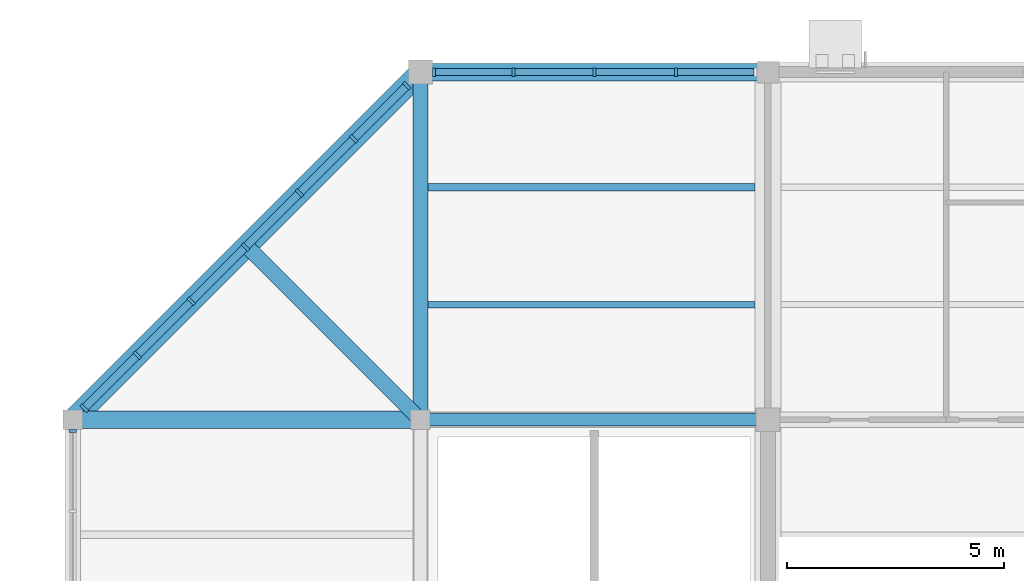
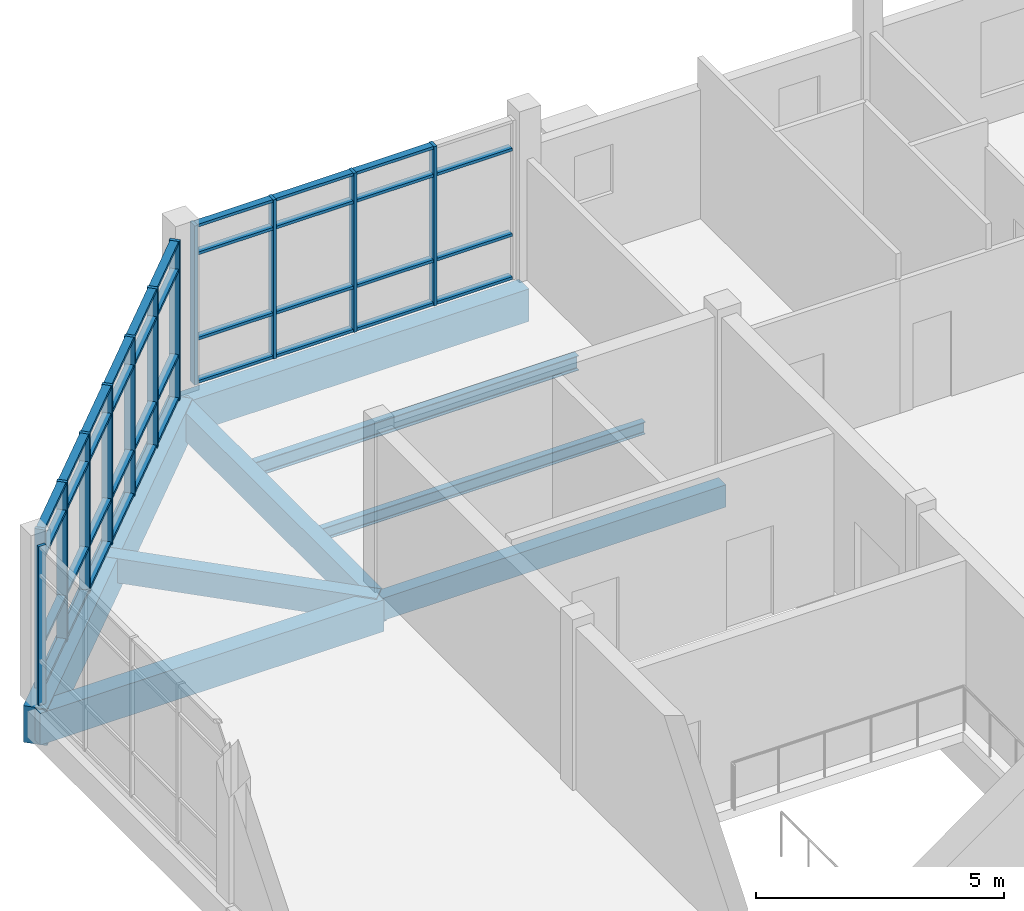
# One storey, part 16 of 44: 51 members, 8 beams, 3 elements without a shape of their own.
"""IFC4 building model written with IfcOpenShell, lengths in metres."""

from ifc_helpers import new_model, si_unit, direction, frame, origin, origin_2d, place, context, subcontext, project, spatial, rectangle, i_section, extrude, material, material_profile, profile_set, type_object, element, aggregate, save


model = new_model("IFC4")

# Units and contexts
model_context = context("Model", 3, precision=1e-05, world=origin(), true_north=direction((0.0, 1.0)))
body_context = subcontext(model_context, "Body", "Model", "MODEL_VIEW")
ifc_project = project(units=[si_unit("LENGTHUNIT", "METRE"), si_unit("AREAUNIT", "SQUARE_METRE"), si_unit("VOLUMEUNIT", "CUBIC_METRE"), si_unit("PLANEANGLEUNIT", "RADIAN"), si_unit("MASSUNIT", "GRAM", prefix="KILO")], contexts=[model_context])

# Site, building, storey
site_placement = place(None, origin())
site = spatial("IfcSite", under=ifc_project, at=site_placement, CompositionType="ELEMENT")
building_placement = place(site_placement, origin())
building = spatial("IfcBuilding", under=site, at=building_placement, Name="Tenunan Teduh Sports Hall", CompositionType="ELEMENT")
storey_placement = place(building_placement, frame((0.0, 0.0, 19.199951171875)))
storey = spatial("IfcBuildingStorey", under=building, at=storey_placement, Name="L04", CompositionType="ELEMENT", Elevation=19.199951171875)

# Beams
ifc_material_1 = material(Name="Concrete C40/50", Category="concrete")
ifc_material_profile_1 = material_profile(ifc_material_1, rectangle(XDim=0.300048828125, YDim=0.550048828125, at=origin_2d()), Name="RCB 300x550")
ifc_profile_set_1 = profile_set([ifc_material_profile_1], Name="Concrete C40/50")
beam_type_1 = type_object("IfcBeamType", Name="BM-RC-300x550", PredefinedType="BEAM", material=ifc_profile_set_1)
beam_1_placement = place(storey_placement, frame((14.0, 110.0, -0.544921875), z_axis=(1.0, 0.0, 0.0), x_axis=(0.0, 1.0, 0.0)))
element("IfcBeam", 1, at=beam_1_placement, inside=storey, type_object=beam_type_1, Name="BM-B-02-L04-2051", PredefinedType="BEAM", context=body_context, shape_type="SweptSolid", body=[
    extrude(rectangle(XDim=0.300048828125, YDim=0.550048828125, at=origin_2d()), origin(), (0.0, 0.0, 1.0), 8.0),
])
ifc_material_2 = material(Name="Concrete C40/50", Category="concrete")
ifc_material_profile_2 = material_profile(ifc_material_2, rectangle(XDim=0.35009765625, YDim=0.60009765625, at=origin_2d()), Name="RCB 350x600")
ifc_profile_set_2 = profile_set([ifc_material_profile_2], Name="Concrete C40/50")
beam_type_2 = type_object("IfcBeamType", Name="BM-RC-350x600", PredefinedType="BEAM", material=ifc_profile_set_2)
beam_2_placement = place(storey_placement, frame((14.0, 110.0, -0.5400390625), z_axis=(-0.707106781187, 0.707106781187, 0.0), x_axis=(-0.707106781187, -0.707106781187, 0.0)))
element("IfcBeam", 2, at=beam_2_placement, inside=storey, type_object=beam_type_2, Name="BM-B-04-L04-2226", PredefinedType="BEAM", context=body_context, shape_type="SweptSolid", body=[
    extrude(rectangle(XDim=0.35009765625, YDim=0.60009765625, at=origin_2d()), origin(), (0.0, 0.0, 1.0), 5.65673828125),
])
ifc_material_3 = material(Name="Concrete C40/50", Category="concrete")
ifc_material_profile_3 = material_profile(ifc_material_3, rectangle(XDim=0.35009765625, YDim=0.699951171875, at=origin_2d()), Name="RCB 350x700")
ifc_profile_set_3 = profile_set([ifc_material_profile_3], Name="Concrete C40/50")
beam_type_3 = type_object("IfcBeamType", Name="BM-RC-350x700", PredefinedType="BEAM", material=ifc_profile_set_3)
beam_3_placement = place(storey_placement, frame((14.0, 110.0, -0.619873046875), z_axis=(0.0, 1.0, 0.0), x_axis=(-1.0, 0.0, 0.0)))
element("IfcBeam", 3, at=beam_3_placement, inside=storey, type_object=beam_type_3, Name="BM-B-06-L04-2076", PredefinedType="BEAM", context=body_context, shape_type="SweptSolid", body=[
    extrude(rectangle(XDim=0.35009765625, YDim=0.699951171875, at=origin_2d()), origin(), (0.0, 0.0, 1.0), 8.0),
])
ifc_material_4 = material(Name="Concrete C40/50", Category="concrete")
ifc_material_profile_4 = material_profile(ifc_material_4, rectangle(XDim=0.39990234375, YDim=0.800048828125, at=origin_2d()), Name="RCB 400x800")
ifc_profile_set_4 = profile_set([ifc_material_profile_4], Name="Concrete C40/50")
beam_type_4 = type_object("IfcBeamType", Name="BM-RC-400x800", PredefinedType="BEAM", material=ifc_profile_set_4)
beam_4_placement = place(storey_placement, frame((14.0, 118.0, -0.669921875), z_axis=(1.0, 0.0, 0.0), x_axis=(0.0, 1.0, 0.0)))
element("IfcBeam", 4, at=beam_4_placement, inside=storey, type_object=beam_type_4, Name="BM-B-10-L04-2058", PredefinedType="BEAM", context=body_context, shape_type="SweptSolid", body=[
    extrude(rectangle(XDim=0.39990234375, YDim=0.800048828125, at=origin_2d()), origin(), (0.0, 0.0, 1.0), 8.0),
])
ifc_material_5 = material(Name="Concrete C40/50", Category="concrete")
ifc_material_profile_5 = material_profile(ifc_material_5, rectangle(XDim=0.5, YDim=0.89990234375, at=origin_2d()), Name="RCB 500x900")
ifc_profile_set_5 = profile_set([ifc_material_profile_5], Name="Concrete C40/50")
beam_type_5 = type_object("IfcBeamType", Name="BM-RC-500x900", PredefinedType="BEAM", material=ifc_profile_set_5)
beam_5_placement = place(storey_placement, frame((6.0, 110.0, -0.68994140625), z_axis=(0.707106781187, 0.707106781187, 0.0), x_axis=(-0.707106781187, 0.707106781187, 0.0)))
element("IfcBeam", 5, at=beam_5_placement, inside=storey, type_object=beam_type_5, Name="BM-B-15-L04-0591", PredefinedType="BEAM", context=body_context, shape_type="SweptSolid", body=[
    extrude(rectangle(XDim=0.5, YDim=0.89990234375, at=origin_2d()), origin(), (0.0, 0.0, 1.0), 11.313720703125),
])
ifc_material_6 = material(Name="Concrete C40/50", Category="concrete")
ifc_material_profile_6 = material_profile(ifc_material_6, rectangle(XDim=0.39990234375, YDim=0.780029296875, at=origin_2d()), Name="TB 400x780")
ifc_profile_set_6 = profile_set([ifc_material_profile_6], Name="Concrete C40/50")
beam_type_6 = type_object("IfcBeamType", Name="BM-TB-400x780", PredefinedType="T_BEAM", material=ifc_profile_set_6)
beam_6_placement = place(storey_placement, frame((6.0, 110.0, -0.659912109375), z_axis=(1.0, 0.0, 0.0), x_axis=(0.0, 1.0, 0.0)))
element("IfcBeam", 6, at=beam_6_placement, inside=storey, type_object=beam_type_6, Name="BM-TB-02-L04-2050", PredefinedType="T_BEAM", context=body_context, shape_type="SweptSolid", body=[
    extrude(rectangle(XDim=0.39990234375, YDim=0.780029296875, at=origin_2d()), origin(), (0.0, 0.0, 1.0), 8.0),
])

# Curtain wall, member
ifc_material_7 = material(Name="Anodised aluminium", Category="aluminium")
curtain_wall_type = type_object("IfcCurtainWallType", Name="CW-UNIT-2", PredefinedType="NOTDEFINED", material=ifc_material_7)
curtain_wall_1_placement = place(storey_placement, origin())
curtain_wall_1 = element("IfcCurtainWall", 7, at=curtain_wall_1_placement, inside=storey, type_object=curtain_wall_type, Name="CW-CWM-175-L04-234", PredefinedType="NOTDEFINED")
ifc_material_8 = material(Name="Anodised aluminium", Category="aluminium")
ifc_material_profile_7 = material_profile(ifc_material_8, rectangle(XDim=0.06494140625, YDim=0.175048828125, at=origin_2d()), Name="CWM 65x175")
ifc_profile_set_7 = profile_set([ifc_material_profile_7], Name="Anodised aluminium")
member_type_1 = type_object("IfcMemberType", Name="CWM-175", PredefinedType="MULLION", material=ifc_profile_set_7)
member_1_placement = place(storey_placement, frame((6.0, 109.742431640625, 0.0), z_axis=(0.0, 0.0, 1.0), x_axis=(0.0, 1.0, 0.0)))
member_1 = element("IfcMember", 8, at=member_1_placement, type_object=member_type_1, Name="CW-02 mullion 5", PredefinedType="MULLION", context=body_context, shape_type="SweptSolid", body=[
    extrude(rectangle(XDim=0.06494140625, YDim=0.175048828125, at=origin_2d()), origin(), (0.0, 0.0, 1.0), 3.920166015625),
])
aggregate(curtain_wall_1, [member_1])

# Curtain wall, members
curtain_wall_2_placement = place(storey_placement, origin())
curtain_wall_2 = element("IfcCurtainWall", 9, at=curtain_wall_2_placement, inside=storey, type_object=curtain_wall_type, Name="CW-CWM-200-L04-232", PredefinedType="NOTDEFINED")
ifc_material_9 = material(Name="Anodised aluminium", Category="aluminium")
ifc_material_profile_8 = material_profile(ifc_material_9, rectangle(XDim=0.070068359375, YDim=0.199951171875, at=origin_2d()), Name="CWM 70x200")
ifc_profile_set_8 = profile_set([ifc_material_profile_8], Name="Anodised aluminium")
member_type_2 = type_object("IfcMemberType", Name="CWM-200", PredefinedType="MULLION", material=ifc_profile_set_8)
member_2_placement = place(storey_placement, frame((14.31005859375, 118.0, 0.0), z_axis=(0.0, 0.0, 1.0), x_axis=(1.0, 0.0, 0.0)))
member_2 = element("IfcMember", 10, at=member_2_placement, type_object=member_type_2, Name="CW-02 mullion 1", PredefinedType="MULLION", context=body_context, shape_type="SweptSolid", body=[
    extrude(rectangle(XDim=0.070068359375, YDim=0.199951171875, at=origin_2d()), origin(), (0.0, 0.0, 1.0), 3.920166015625),
])
member_3_placement = place(storey_placement, frame((16.143798828125, 118.0, 0.0), z_axis=(0.0, 0.0, 1.0), x_axis=(1.0, 0.0, 0.0)))
member_3 = element("IfcMember", 11, at=member_3_placement, type_object=member_type_2, Name="CW-02 mullion 2", PredefinedType="MULLION", context=body_context, shape_type="SweptSolid", body=[
    extrude(rectangle(XDim=0.070068359375, YDim=0.199951171875, at=origin_2d()), origin(), (0.0, 0.0, 1.0), 3.920166015625),
])
member_4_placement = place(storey_placement, frame((18.012451171875, 118.0, 0.0), z_axis=(0.0, 0.0, 1.0), x_axis=(1.0, 0.0, 0.0)))
member_4 = element("IfcMember", 12, at=member_4_placement, type_object=member_type_2, Name="CW-02 mullion 3", PredefinedType="MULLION", context=body_context, shape_type="SweptSolid", body=[
    extrude(rectangle(XDim=0.070068359375, YDim=0.199951171875, at=origin_2d()), origin(), (0.0, 0.0, 1.0), 3.920166015625),
])
member_5_placement = place(storey_placement, frame((19.88134765625, 118.0, 0.0), z_axis=(0.0, 0.0, 1.0), x_axis=(1.0, 0.0, 0.0)))
member_5 = element("IfcMember", 13, at=member_5_placement, type_object=member_type_2, Name="CW-02 mullion 4", PredefinedType="MULLION", context=body_context, shape_type="SweptSolid", body=[
    extrude(rectangle(XDim=0.070068359375, YDim=0.199951171875, at=origin_2d()), origin(), (0.0, 0.0, 1.0), 3.920166015625),
])

curtain_wall_3_placement = place(storey_placement, origin())
curtain_wall_3 = element("IfcCurtainWall", 14, at=curtain_wall_3_placement, inside=storey, type_object=curtain_wall_type, Name="CW-CWM-220-L04-233", PredefinedType="NOTDEFINED")
ifc_material_10 = material(Name="Anodised aluminium", Category="aluminium")
ifc_material_profile_9 = material_profile(ifc_material_10, rectangle(XDim=0.074951171875, YDim=0.219970703125, at=origin_2d()), Name="CWM 75x220")
ifc_profile_set_9 = profile_set([ifc_material_profile_9], Name="Anodised aluminium")
member_type_3 = type_object("IfcMemberType", Name="CWM-220", PredefinedType="MULLION", material=ifc_profile_set_9)
member_6_placement = place(storey_placement, frame((6.2626953125, 110.2626953125, 0.0), z_axis=(0.0, 0.0, 1.0), x_axis=(0.707096908044, 0.707116654191, 0.0)))
member_6 = element("IfcMember", 15, at=member_6_placement, type_object=member_type_3, Name="CW-02 mullion 1", PredefinedType="MULLION", context=body_context, shape_type="SweptSolid", body=[
    extrude(rectangle(XDim=0.074951171875, YDim=0.219970703125, at=origin_2d()), origin(), (0.0, 0.0, 1.0), 3.920166015625),
])
member_7_placement = place(storey_placement, frame((7.482177734375, 111.48193359375, 0.0), z_axis=(0.0, 0.0, 1.0), x_axis=(0.707096908044, 0.707116654191, 0.0)))
member_7 = element("IfcMember", 16, at=member_7_placement, type_object=member_type_3, Name="CW-02 mullion 2", PredefinedType="MULLION", context=body_context, shape_type="SweptSolid", body=[
    extrude(rectangle(XDim=0.074951171875, YDim=0.219970703125, at=origin_2d()), origin(), (0.0, 0.0, 1.0), 3.920166015625),
])
member_8_placement = place(storey_placement, frame((8.72802734375, 112.727783203125, 0.0), z_axis=(0.0, 0.0, 1.0), x_axis=(0.707096908044, 0.707116654191, 0.0)))
member_8 = element("IfcMember", 17, at=member_8_placement, type_object=member_type_3, Name="CW-02 mullion 3", PredefinedType="MULLION", context=body_context, shape_type="SweptSolid", body=[
    extrude(rectangle(XDim=0.074951171875, YDim=0.219970703125, at=origin_2d()), origin(), (0.0, 0.0, 1.0), 3.920166015625),
])
member_9_placement = place(storey_placement, frame((9.9736328125, 113.9736328125, 0.0), z_axis=(0.0, 0.0, 1.0), x_axis=(0.707096908044, 0.707116654191, 0.0)))
member_9 = element("IfcMember", 18, at=member_9_placement, type_object=member_type_3, Name="CW-02 mullion 4", PredefinedType="MULLION", context=body_context, shape_type="SweptSolid", body=[
    extrude(rectangle(XDim=0.074951171875, YDim=0.219970703125, at=origin_2d()), origin(), (0.0, 0.0, 1.0), 3.920166015625),
])
member_10_placement = place(storey_placement, frame((11.219482421875, 115.219482421875, 0.0), z_axis=(0.0, 0.0, 1.0), x_axis=(0.707096908044, 0.707116654191, 0.0)))
member_10 = element("IfcMember", 19, at=member_10_placement, type_object=member_type_3, Name="CW-02 mullion 5", PredefinedType="MULLION", context=body_context, shape_type="SweptSolid", body=[
    extrude(rectangle(XDim=0.074951171875, YDim=0.219970703125, at=origin_2d()), origin(), (0.0, 0.0, 1.0), 3.920166015625),
])
member_11_placement = place(storey_placement, frame((12.46533203125, 116.46533203125, 0.0), z_axis=(0.0, 0.0, 1.0), x_axis=(0.707096908044, 0.707116654191, 0.0)))
member_11 = element("IfcMember", 20, at=member_11_placement, type_object=member_type_3, Name="CW-02 mullion 6", PredefinedType="MULLION", context=body_context, shape_type="SweptSolid", body=[
    extrude(rectangle(XDim=0.074951171875, YDim=0.219970703125, at=origin_2d()), origin(), (0.0, 0.0, 1.0), 3.920166015625),
])
member_12_placement = place(storey_placement, frame((13.6845703125, 117.684814453125, 0.0), z_axis=(0.0, 0.0, 1.0), x_axis=(0.707096908044, 0.707116654191, 0.0)))
member_12 = element("IfcMember", 21, at=member_12_placement, type_object=member_type_3, Name="CW-02 mullion 7", PredefinedType="MULLION", context=body_context, shape_type="SweptSolid", body=[
    extrude(rectangle(XDim=0.074951171875, YDim=0.219970703125, at=origin_2d()), origin(), (0.0, 0.0, 1.0), 3.920166015625),
])
ifc_material_11 = material(Name="Anodised aluminium", Category="aluminium")
ifc_material_profile_10 = material_profile(ifc_material_11, rectangle(XDim=0.074951171875, YDim=0.179931640625, at=origin_2d()), Name="CWT 75x180")
ifc_profile_set_10 = profile_set([ifc_material_profile_10], Name="Anodised aluminium")
member_type_4 = type_object("IfcMemberType", Name="CWT-180", PredefinedType="USERDEFINED", material=ifc_profile_set_10)
member_13_placement = place(storey_placement, frame((6.289306640625, 110.289306640625, 0.03759765625), z_axis=(0.707106781187, 0.707106781187, 0.0), x_axis=(0.0, 0.0, 1.0)))
member_13 = element("IfcMember", 22, at=member_13_placement, type_object=member_type_4, Name="CW-02 transom 1.1", ObjectType="TRANSOM", PredefinedType="USERDEFINED", context=body_context, shape_type="SweptSolid", body=[
    extrude(rectangle(XDim=0.074951171875, YDim=0.179931640625, at=origin_2d()), origin(), (0.0, 0.0, 1.0), 1.6494140625),
])
member_14_placement = place(storey_placement, frame((6.289306640625, 110.289306640625, 1.10009765625), z_axis=(0.707106781187, 0.707106781187, 0.0), x_axis=(0.0, 0.0, 1.0)))
member_14 = element("IfcMember", 23, at=member_14_placement, type_object=member_type_4, Name="CW-02 transom 1.2", ObjectType="TRANSOM", PredefinedType="USERDEFINED", context=body_context, shape_type="SweptSolid", body=[
    extrude(rectangle(XDim=0.074951171875, YDim=0.179931640625, at=origin_2d()), origin(), (0.0, 0.0, 1.0), 1.6494140625),
])
member_15_placement = place(storey_placement, frame((6.289306640625, 110.289306640625, 3.199951171875), z_axis=(0.707106781187, 0.707106781187, 0.0), x_axis=(0.0, 0.0, 1.0)))
member_15 = element("IfcMember", 24, at=member_15_placement, type_object=member_type_4, Name="CW-02 transom 1.3", ObjectType="TRANSOM", PredefinedType="USERDEFINED", context=body_context, shape_type="SweptSolid", body=[
    extrude(rectangle(XDim=0.074951171875, YDim=0.179931640625, at=origin_2d()), origin(), (0.0, 0.0, 1.0), 1.6494140625),
])
member_16_placement = place(storey_placement, frame((6.289306640625, 110.289306640625, 3.882568359375), z_axis=(0.707106781187, 0.707106781187, 0.0), x_axis=(0.0, 0.0, 1.0)))
member_16 = element("IfcMember", 25, at=member_16_placement, type_object=member_type_4, Name="CW-02 transom 1.4", ObjectType="TRANSOM", PredefinedType="USERDEFINED", context=body_context, shape_type="SweptSolid", body=[
    extrude(rectangle(XDim=0.074951171875, YDim=0.179931640625, at=origin_2d()), origin(), (0.0, 0.0, 1.0), 1.6494140625),
])
member_17_placement = place(storey_placement, frame((7.508544921875, 111.508544921875, 0.03759765625), z_axis=(0.707106781187, 0.707106781187, 0.0), x_axis=(0.0, 0.0, 1.0)))
member_17 = element("IfcMember", 26, at=member_17_placement, type_object=member_type_4, Name="CW-02 transom 2.1", ObjectType="TRANSOM", PredefinedType="USERDEFINED", context=body_context, shape_type="SweptSolid", body=[
    extrude(rectangle(XDim=0.074951171875, YDim=0.179931640625, at=origin_2d()), origin(), (0.0, 0.0, 1.0), 1.68701171875),
])
member_18_placement = place(storey_placement, frame((7.508544921875, 111.508544921875, 1.10009765625), z_axis=(0.707106781187, 0.707106781187, 0.0), x_axis=(0.0, 0.0, 1.0)))
member_18 = element("IfcMember", 27, at=member_18_placement, type_object=member_type_4, Name="CW-02 transom 2.2", ObjectType="TRANSOM", PredefinedType="USERDEFINED", context=body_context, shape_type="SweptSolid", body=[
    extrude(rectangle(XDim=0.074951171875, YDim=0.179931640625, at=origin_2d()), origin(), (0.0, 0.0, 1.0), 1.68701171875),
])
member_19_placement = place(storey_placement, frame((7.508544921875, 111.508544921875, 3.199951171875), z_axis=(0.707106781187, 0.707106781187, 0.0), x_axis=(0.0, 0.0, 1.0)))
member_19 = element("IfcMember", 28, at=member_19_placement, type_object=member_type_4, Name="CW-02 transom 2.3", ObjectType="TRANSOM", PredefinedType="USERDEFINED", context=body_context, shape_type="SweptSolid", body=[
    extrude(rectangle(XDim=0.074951171875, YDim=0.179931640625, at=origin_2d()), origin(), (0.0, 0.0, 1.0), 1.68701171875),
])
member_20_placement = place(storey_placement, frame((7.508544921875, 111.508544921875, 3.882568359375), z_axis=(0.707106781187, 0.707106781187, 0.0), x_axis=(0.0, 0.0, 1.0)))
member_20 = element("IfcMember", 29, at=member_20_placement, type_object=member_type_4, Name="CW-02 transom 2.4", ObjectType="TRANSOM", PredefinedType="USERDEFINED", context=body_context, shape_type="SweptSolid", body=[
    extrude(rectangle(XDim=0.074951171875, YDim=0.179931640625, at=origin_2d()), origin(), (0.0, 0.0, 1.0), 1.68701171875),
])
member_21_placement = place(storey_placement, frame((8.75439453125, 112.75439453125, 0.03759765625), z_axis=(0.707106781187, 0.707106781187, 0.0), x_axis=(0.0, 0.0, 1.0)))
member_21 = element("IfcMember", 30, at=member_21_placement, type_object=member_type_4, Name="CW-02 transom 3.1", ObjectType="TRANSOM", PredefinedType="USERDEFINED", context=body_context, shape_type="SweptSolid", body=[
    extrude(rectangle(XDim=0.074951171875, YDim=0.179931640625, at=origin_2d()), origin(), (0.0, 0.0, 1.0), 1.68701171875),
])
member_22_placement = place(storey_placement, frame((8.75439453125, 112.75439453125, 1.10009765625), z_axis=(0.707106781187, 0.707106781187, 0.0), x_axis=(0.0, 0.0, 1.0)))
member_22 = element("IfcMember", 31, at=member_22_placement, type_object=member_type_4, Name="CW-02 transom 3.2", ObjectType="TRANSOM", PredefinedType="USERDEFINED", context=body_context, shape_type="SweptSolid", body=[
    extrude(rectangle(XDim=0.074951171875, YDim=0.179931640625, at=origin_2d()), origin(), (0.0, 0.0, 1.0), 1.68701171875),
])
member_23_placement = place(storey_placement, frame((8.75439453125, 112.75439453125, 3.199951171875), z_axis=(0.707106781187, 0.707106781187, 0.0), x_axis=(0.0, 0.0, 1.0)))
member_23 = element("IfcMember", 32, at=member_23_placement, type_object=member_type_4, Name="CW-02 transom 3.3", ObjectType="TRANSOM", PredefinedType="USERDEFINED", context=body_context, shape_type="SweptSolid", body=[
    extrude(rectangle(XDim=0.074951171875, YDim=0.179931640625, at=origin_2d()), origin(), (0.0, 0.0, 1.0), 1.68701171875),
])
member_24_placement = place(storey_placement, frame((8.75439453125, 112.75439453125, 3.882568359375), z_axis=(0.707106781187, 0.707106781187, 0.0), x_axis=(0.0, 0.0, 1.0)))
member_24 = element("IfcMember", 33, at=member_24_placement, type_object=member_type_4, Name="CW-02 transom 3.4", ObjectType="TRANSOM", PredefinedType="USERDEFINED", context=body_context, shape_type="SweptSolid", body=[
    extrude(rectangle(XDim=0.074951171875, YDim=0.179931640625, at=origin_2d()), origin(), (0.0, 0.0, 1.0), 1.68701171875),
])
member_25_placement = place(storey_placement, frame((10.000244140625, 114.000244140625, 0.03759765625), z_axis=(0.707106781187, 0.707106781187, 0.0), x_axis=(0.0, 0.0, 1.0)))
member_25 = element("IfcMember", 34, at=member_25_placement, type_object=member_type_4, Name="CW-02 transom 4.1", ObjectType="TRANSOM", PredefinedType="USERDEFINED", context=body_context, shape_type="SweptSolid", body=[
    extrude(rectangle(XDim=0.074951171875, YDim=0.179931640625, at=origin_2d()), origin(), (0.0, 0.0, 1.0), 1.68701171875),
])
member_26_placement = place(storey_placement, frame((10.000244140625, 114.000244140625, 1.10009765625), z_axis=(0.707106781187, 0.707106781187, 0.0), x_axis=(0.0, 0.0, 1.0)))
member_26 = element("IfcMember", 35, at=member_26_placement, type_object=member_type_4, Name="CW-02 transom 4.2", ObjectType="TRANSOM", PredefinedType="USERDEFINED", context=body_context, shape_type="SweptSolid", body=[
    extrude(rectangle(XDim=0.074951171875, YDim=0.179931640625, at=origin_2d()), origin(), (0.0, 0.0, 1.0), 1.68701171875),
])
member_27_placement = place(storey_placement, frame((10.000244140625, 114.000244140625, 3.199951171875), z_axis=(0.707106781187, 0.707106781187, 0.0), x_axis=(0.0, 0.0, 1.0)))
member_27 = element("IfcMember", 36, at=member_27_placement, type_object=member_type_4, Name="CW-02 transom 4.3", ObjectType="TRANSOM", PredefinedType="USERDEFINED", context=body_context, shape_type="SweptSolid", body=[
    extrude(rectangle(XDim=0.074951171875, YDim=0.179931640625, at=origin_2d()), origin(), (0.0, 0.0, 1.0), 1.68701171875),
])
member_28_placement = place(storey_placement, frame((10.000244140625, 114.000244140625, 3.882568359375), z_axis=(0.707106781187, 0.707106781187, 0.0), x_axis=(0.0, 0.0, 1.0)))
member_28 = element("IfcMember", 37, at=member_28_placement, type_object=member_type_4, Name="CW-02 transom 4.4", ObjectType="TRANSOM", PredefinedType="USERDEFINED", context=body_context, shape_type="SweptSolid", body=[
    extrude(rectangle(XDim=0.074951171875, YDim=0.179931640625, at=origin_2d()), origin(), (0.0, 0.0, 1.0), 1.68701171875),
])
member_29_placement = place(storey_placement, frame((11.24609375, 115.24609375, 0.03759765625), z_axis=(0.707106781187, 0.707106781187, 0.0), x_axis=(0.0, 0.0, 1.0)))
member_29 = element("IfcMember", 38, at=member_29_placement, type_object=member_type_4, Name="CW-02 transom 5.1", ObjectType="TRANSOM", PredefinedType="USERDEFINED", context=body_context, shape_type="SweptSolid", body=[
    extrude(rectangle(XDim=0.074951171875, YDim=0.179931640625, at=origin_2d()), origin(), (0.0, 0.0, 1.0), 1.68701171875),
])
member_30_placement = place(storey_placement, frame((11.24609375, 115.24609375, 1.10009765625), z_axis=(0.707106781187, 0.707106781187, 0.0), x_axis=(0.0, 0.0, 1.0)))
member_30 = element("IfcMember", 39, at=member_30_placement, type_object=member_type_4, Name="CW-02 transom 5.2", ObjectType="TRANSOM", PredefinedType="USERDEFINED", context=body_context, shape_type="SweptSolid", body=[
    extrude(rectangle(XDim=0.074951171875, YDim=0.179931640625, at=origin_2d()), origin(), (0.0, 0.0, 1.0), 1.68701171875),
])
member_31_placement = place(storey_placement, frame((11.24609375, 115.24609375, 3.199951171875), z_axis=(0.707106781187, 0.707106781187, 0.0), x_axis=(0.0, 0.0, 1.0)))
member_31 = element("IfcMember", 40, at=member_31_placement, type_object=member_type_4, Name="CW-02 transom 5.3", ObjectType="TRANSOM", PredefinedType="USERDEFINED", context=body_context, shape_type="SweptSolid", body=[
    extrude(rectangle(XDim=0.074951171875, YDim=0.179931640625, at=origin_2d()), origin(), (0.0, 0.0, 1.0), 1.68701171875),
])
member_32_placement = place(storey_placement, frame((11.24609375, 115.24609375, 3.882568359375), z_axis=(0.707106781187, 0.707106781187, 0.0), x_axis=(0.0, 0.0, 1.0)))
member_32 = element("IfcMember", 41, at=member_32_placement, type_object=member_type_4, Name="CW-02 transom 5.4", ObjectType="TRANSOM", PredefinedType="USERDEFINED", context=body_context, shape_type="SweptSolid", body=[
    extrude(rectangle(XDim=0.074951171875, YDim=0.179931640625, at=origin_2d()), origin(), (0.0, 0.0, 1.0), 1.68701171875),
])
member_33_placement = place(storey_placement, frame((12.491943359375, 116.491943359375, 0.03759765625), z_axis=(0.707106781187, 0.707106781187, 0.0), x_axis=(0.0, 0.0, 1.0)))
member_33 = element("IfcMember", 42, at=member_33_placement, type_object=member_type_4, Name="CW-02 transom 6.1", ObjectType="TRANSOM", PredefinedType="USERDEFINED", context=body_context, shape_type="SweptSolid", body=[
    extrude(rectangle(XDim=0.074951171875, YDim=0.179931640625, at=origin_2d()), origin(), (0.0, 0.0, 1.0), 1.6494140625),
])
member_34_placement = place(storey_placement, frame((12.491943359375, 116.491943359375, 1.10009765625), z_axis=(0.707106781187, 0.707106781187, 0.0), x_axis=(0.0, 0.0, 1.0)))
member_34 = element("IfcMember", 43, at=member_34_placement, type_object=member_type_4, Name="CW-02 transom 6.2", ObjectType="TRANSOM", PredefinedType="USERDEFINED", context=body_context, shape_type="SweptSolid", body=[
    extrude(rectangle(XDim=0.074951171875, YDim=0.179931640625, at=origin_2d()), origin(), (0.0, 0.0, 1.0), 1.6494140625),
])
member_35_placement = place(storey_placement, frame((12.491943359375, 116.491943359375, 3.199951171875), z_axis=(0.707106781187, 0.707106781187, 0.0), x_axis=(0.0, 0.0, 1.0)))
member_35 = element("IfcMember", 44, at=member_35_placement, type_object=member_type_4, Name="CW-02 transom 6.3", ObjectType="TRANSOM", PredefinedType="USERDEFINED", context=body_context, shape_type="SweptSolid", body=[
    extrude(rectangle(XDim=0.074951171875, YDim=0.179931640625, at=origin_2d()), origin(), (0.0, 0.0, 1.0), 1.6494140625),
])
member_36_placement = place(storey_placement, frame((12.491943359375, 116.491943359375, 3.882568359375), z_axis=(0.707106781187, 0.707106781187, 0.0), x_axis=(0.0, 0.0, 1.0)))
member_36 = element("IfcMember", 45, at=member_36_placement, type_object=member_type_4, Name="CW-02 transom 6.4", ObjectType="TRANSOM", PredefinedType="USERDEFINED", context=body_context, shape_type="SweptSolid", body=[
    extrude(rectangle(XDim=0.074951171875, YDim=0.179931640625, at=origin_2d()), origin(), (0.0, 0.0, 1.0), 1.6494140625),
])
aggregate(curtain_wall_3, [member_6, member_7, member_8, member_9, member_10, member_11, member_12, member_13, member_14, member_15, member_16, member_17, member_18, member_19, member_20, member_21, member_22, member_23, member_24, member_25, member_26, member_27, member_28, member_29, member_30, member_31, member_32, member_33, member_34, member_35, member_36])

# Member
ifc_material_12 = material(Name="Anodised aluminium", Category="aluminium")
ifc_material_profile_11 = material_profile(ifc_material_12, rectangle(XDim=0.070068359375, YDim=0.159912109375, at=origin_2d()), Name="CWT 70x160")
ifc_profile_set_11 = profile_set([ifc_material_profile_11], Name="Anodised aluminium")
member_type_5 = type_object("IfcMemberType", Name="CWT-200", PredefinedType="USERDEFINED", material=ifc_profile_set_11)
member_37_placement = place(storey_placement, frame((14.344970703125, 118.0, 0.03515625), z_axis=(1.0, 0.0, 0.0), x_axis=(0.0, 0.0, 1.0)))
member_37 = element("IfcMember", 46, at=member_37_placement, type_object=member_type_5, Name="CW-02 transom 1.1", ObjectType="TRANSOM", PredefinedType="USERDEFINED", context=body_context, shape_type="SweptSolid", body=[
    extrude(rectangle(XDim=0.070068359375, YDim=0.159912109375, at=origin_2d()), origin(), (0.0, 0.0, 1.0), 1.763671875),
])

member_38_placement = place(storey_placement, frame((14.344970703125, 118.0, 1.10009765625), z_axis=(1.0, 0.0, 0.0), x_axis=(0.0, 0.0, 1.0)))
member_38 = element("IfcMember", 47, at=member_38_placement, type_object=member_type_5, Name="CW-02 transom 1.2", ObjectType="TRANSOM", PredefinedType="USERDEFINED", context=body_context, shape_type="SweptSolid", body=[
    extrude(rectangle(XDim=0.070068359375, YDim=0.159912109375, at=origin_2d()), origin(), (0.0, 0.0, 1.0), 1.763671875),
])

member_39_placement = place(storey_placement, frame((14.344970703125, 118.0, 3.199951171875), z_axis=(1.0, 0.0, 0.0), x_axis=(0.0, 0.0, 1.0)))
member_39 = element("IfcMember", 48, at=member_39_placement, type_object=member_type_5, Name="CW-02 transom 1.3", ObjectType="TRANSOM", PredefinedType="USERDEFINED", context=body_context, shape_type="SweptSolid", body=[
    extrude(rectangle(XDim=0.070068359375, YDim=0.159912109375, at=origin_2d()), origin(), (0.0, 0.0, 1.0), 1.763671875),
])

member_40_placement = place(storey_placement, frame((14.344970703125, 118.0, 3.885009765625), z_axis=(1.0, 0.0, 0.0), x_axis=(0.0, 0.0, 1.0)))
member_40 = element("IfcMember", 49, at=member_40_placement, type_object=member_type_5, Name="CW-02 transom 1.4", ObjectType="TRANSOM", PredefinedType="USERDEFINED", context=body_context, shape_type="SweptSolid", body=[
    extrude(rectangle(XDim=0.070068359375, YDim=0.159912109375, at=origin_2d()), origin(), (0.0, 0.0, 1.0), 1.763671875),
])

member_41_placement = place(storey_placement, frame((16.1787109375, 118.0, 0.03515625), z_axis=(1.0, 0.0, 0.0), x_axis=(0.0, 0.0, 1.0)))
member_41 = element("IfcMember", 50, at=member_41_placement, type_object=member_type_5, Name="CW-02 transom 2.1", ObjectType="TRANSOM", PredefinedType="USERDEFINED", context=body_context, shape_type="SweptSolid", body=[
    extrude(rectangle(XDim=0.070068359375, YDim=0.159912109375, at=origin_2d()), origin(), (0.0, 0.0, 1.0), 1.798828125),
])

member_42_placement = place(storey_placement, frame((16.1787109375, 118.0, 1.10009765625), z_axis=(1.0, 0.0, 0.0), x_axis=(0.0, 0.0, 1.0)))
member_42 = element("IfcMember", 51, at=member_42_placement, type_object=member_type_5, Name="CW-02 transom 2.2", ObjectType="TRANSOM", PredefinedType="USERDEFINED", context=body_context, shape_type="SweptSolid", body=[
    extrude(rectangle(XDim=0.070068359375, YDim=0.159912109375, at=origin_2d()), origin(), (0.0, 0.0, 1.0), 1.798828125),
])

member_43_placement = place(storey_placement, frame((16.1787109375, 118.0, 3.199951171875), z_axis=(1.0, 0.0, 0.0), x_axis=(0.0, 0.0, 1.0)))
member_43 = element("IfcMember", 52, at=member_43_placement, type_object=member_type_5, Name="CW-02 transom 2.3", ObjectType="TRANSOM", PredefinedType="USERDEFINED", context=body_context, shape_type="SweptSolid", body=[
    extrude(rectangle(XDim=0.070068359375, YDim=0.159912109375, at=origin_2d()), origin(), (0.0, 0.0, 1.0), 1.798828125),
])

member_44_placement = place(storey_placement, frame((16.1787109375, 118.0, 3.885009765625), z_axis=(1.0, 0.0, 0.0), x_axis=(0.0, 0.0, 1.0)))
member_44 = element("IfcMember", 53, at=member_44_placement, type_object=member_type_5, Name="CW-02 transom 2.4", ObjectType="TRANSOM", PredefinedType="USERDEFINED", context=body_context, shape_type="SweptSolid", body=[
    extrude(rectangle(XDim=0.070068359375, YDim=0.159912109375, at=origin_2d()), origin(), (0.0, 0.0, 1.0), 1.798828125),
])

member_45_placement = place(storey_placement, frame((18.047607421875, 118.0, 0.03515625), z_axis=(1.0, 0.0, 0.0), x_axis=(0.0, 0.0, 1.0)))
member_45 = element("IfcMember", 54, at=member_45_placement, type_object=member_type_5, Name="CW-02 transom 3.1", ObjectType="TRANSOM", PredefinedType="USERDEFINED", context=body_context, shape_type="SweptSolid", body=[
    extrude(rectangle(XDim=0.070068359375, YDim=0.159912109375, at=origin_2d()), origin(), (0.0, 0.0, 1.0), 1.798583984375),
])

member_46_placement = place(storey_placement, frame((18.047607421875, 118.0, 1.10009765625), z_axis=(1.0, 0.0, 0.0), x_axis=(0.0, 0.0, 1.0)))
member_46 = element("IfcMember", 55, at=member_46_placement, type_object=member_type_5, Name="CW-02 transom 3.2", ObjectType="TRANSOM", PredefinedType="USERDEFINED", context=body_context, shape_type="SweptSolid", body=[
    extrude(rectangle(XDim=0.070068359375, YDim=0.159912109375, at=origin_2d()), origin(), (0.0, 0.0, 1.0), 1.798583984375),
])

member_47_placement = place(storey_placement, frame((18.047607421875, 118.0, 3.199951171875), z_axis=(1.0, 0.0, 0.0), x_axis=(0.0, 0.0, 1.0)))
member_47 = element("IfcMember", 56, at=member_47_placement, type_object=member_type_5, Name="CW-02 transom 3.3", ObjectType="TRANSOM", PredefinedType="USERDEFINED", context=body_context, shape_type="SweptSolid", body=[
    extrude(rectangle(XDim=0.070068359375, YDim=0.159912109375, at=origin_2d()), origin(), (0.0, 0.0, 1.0), 1.798583984375),
])

member_48_placement = place(storey_placement, frame((18.047607421875, 118.0, 3.885009765625), z_axis=(1.0, 0.0, 0.0), x_axis=(0.0, 0.0, 1.0)))
member_48 = element("IfcMember", 57, at=member_48_placement, type_object=member_type_5, Name="CW-02 transom 3.4", ObjectType="TRANSOM", PredefinedType="USERDEFINED", context=body_context, shape_type="SweptSolid", body=[
    extrude(rectangle(XDim=0.070068359375, YDim=0.159912109375, at=origin_2d()), origin(), (0.0, 0.0, 1.0), 1.798583984375),
])

member_49_placement = place(storey_placement, frame((19.916259765625, 118.0, 0.03515625), z_axis=(1.0, 0.0, 0.0), x_axis=(0.0, 0.0, 1.0)))
member_49 = element("IfcMember", 58, at=member_49_placement, type_object=member_type_5, Name="CW-02 transom 4.1", ObjectType="TRANSOM", PredefinedType="USERDEFINED", context=body_context, shape_type="SweptSolid", body=[
    extrude(rectangle(XDim=0.070068359375, YDim=0.159912109375, at=origin_2d()), origin(), (0.0, 0.0, 1.0), 1.763671875),
])

member_50_placement = place(storey_placement, frame((19.916259765625, 118.0, 1.10009765625), z_axis=(1.0, 0.0, 0.0), x_axis=(0.0, 0.0, 1.0)))
member_50 = element("IfcMember", 59, at=member_50_placement, type_object=member_type_5, Name="CW-02 transom 4.2", ObjectType="TRANSOM", PredefinedType="USERDEFINED", context=body_context, shape_type="SweptSolid", body=[
    extrude(rectangle(XDim=0.070068359375, YDim=0.159912109375, at=origin_2d()), origin(), (0.0, 0.0, 1.0), 1.763671875),
])

member_51_placement = place(storey_placement, frame((19.916259765625, 118.0, 3.199951171875), z_axis=(1.0, 0.0, 0.0), x_axis=(0.0, 0.0, 1.0)))
member_51 = element("IfcMember", 60, at=member_51_placement, type_object=member_type_5, Name="CW-02 transom 4.3", ObjectType="TRANSOM", PredefinedType="USERDEFINED", context=body_context, shape_type="SweptSolid", body=[
    extrude(rectangle(XDim=0.070068359375, YDim=0.159912109375, at=origin_2d()), origin(), (0.0, 0.0, 1.0), 1.763671875),
])

aggregate(curtain_wall_2, [member_2, member_3, member_4, member_5, member_37, member_38, member_39, member_40, member_41, member_42, member_43, member_44, member_45, member_46, member_47, member_48, member_49, member_50, member_51])

# Beams
ifc_material_13 = material(Name="Steel S355", Category="steel")
ifc_material_profile_12 = material_profile(ifc_material_13, i_section(OverallWidth=0.14990234375, OverallDepth=0.300048828125, WebThickness=0.007080078125, FlangeThickness=0.0107421875, FilletRadius=0.014892578125, at=origin_2d()), Name="IPE 300")
ifc_profile_set_12 = profile_set([ifc_material_profile_12], Name="Steel S355")
beam_type_7 = type_object("IfcBeamType", Name="JST-IPE300", PredefinedType="JOIST", material=ifc_profile_set_12)
beam_7_placement = place(storey_placement, frame((14.175048828125, 112.64990234375, -0.419921875), z_axis=(1.0, 0.0, 0.0), x_axis=(0.0, 1.0, 0.0)))
element("IfcBeam", 61, at=beam_7_placement, inside=storey, type_object=beam_type_7, Name="BM-J-04-L04-2122", PredefinedType="JOIST", context=body_context, shape_type="SweptSolid", body=[
    extrude(i_section(OverallWidth=0.14990234375, OverallDepth=0.300048828125, WebThickness=0.007080078125, FlangeThickness=0.0107421875, FilletRadius=0.014892578125, at=origin_2d()), origin(), (0.0, 0.0, 1.0), 7.52490234375),
])
ifc_material_14 = material(Name="Steel S355", Category="steel")
ifc_material_profile_13 = material_profile(ifc_material_14, i_section(OverallWidth=0.169921875, OverallDepth=0.360107421875, WebThickness=0.008056640625, FlangeThickness=0.0126953125, FilletRadius=0.01806640625, at=origin_2d()), Name="IPE 360")
ifc_profile_set_13 = profile_set([ifc_material_profile_13], Name="Steel S355")
beam_type_8 = type_object("IfcBeamType", Name="JST-IPE360", PredefinedType="JOIST", material=ifc_profile_set_13)
beam_8_placement = place(storey_placement, frame((14.175048828125, 115.35009765625, -0.449951171875), z_axis=(1.0, 0.0, 0.0), x_axis=(0.0, 1.0, 0.0)))
element("IfcBeam", 62, at=beam_8_placement, inside=storey, type_object=beam_type_8, Name="BM-J-05-L04-2123", PredefinedType="JOIST", context=body_context, shape_type="SweptSolid", body=[
    extrude(i_section(OverallWidth=0.169921875, OverallDepth=0.360107421875, WebThickness=0.008056640625, FlangeThickness=0.0126953125, FilletRadius=0.01806640625, at=origin_2d()), origin(), (0.0, 0.0, 1.0), 7.52490234375),
])

save(model, "model.ifc")
